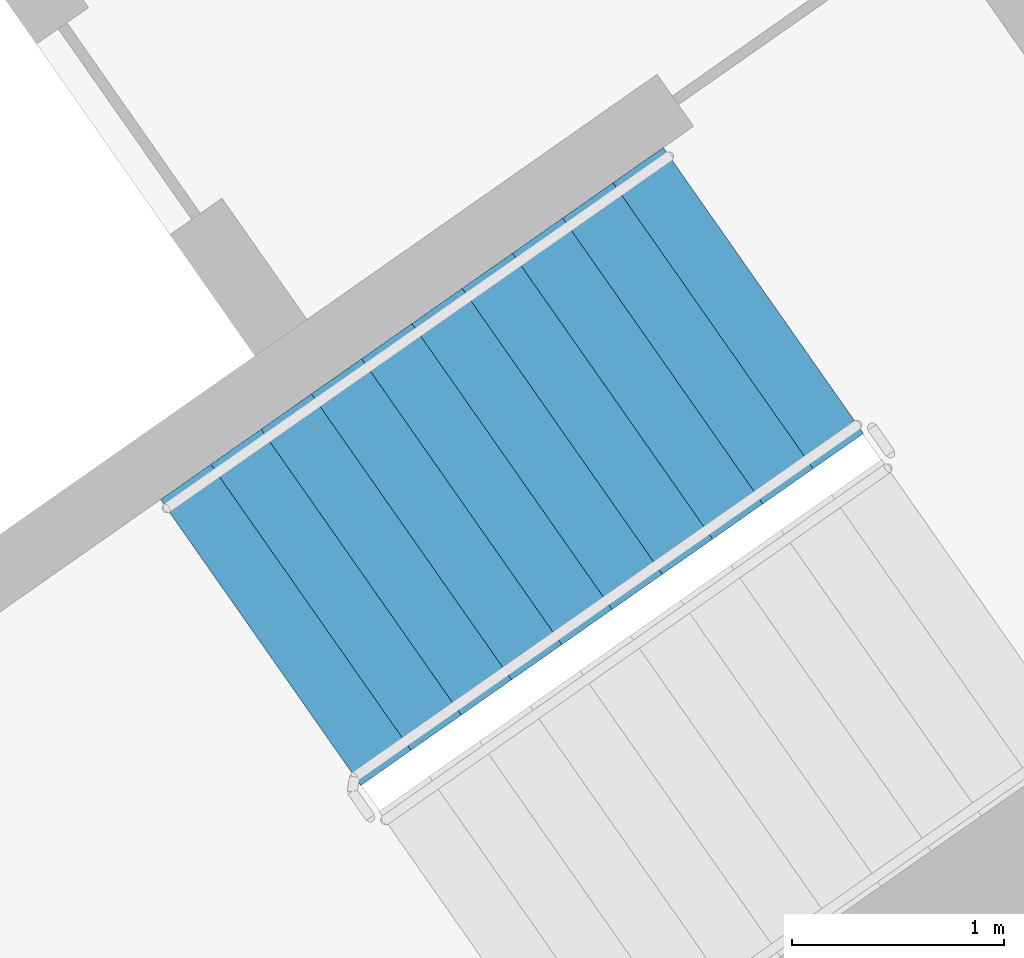
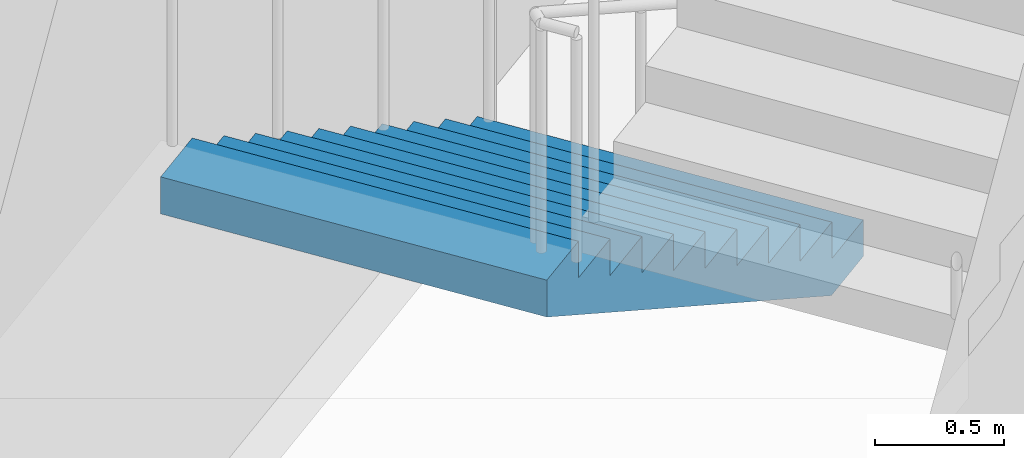
# One storey, part 12 of 27: 1 stair flight, 1 element without a shape of its own.
"""IFC4 building model written with IfcOpenShell, lengths in metres."""

from ifc_helpers import new_model, si_unit, direction, frame, origin, place, context, subcontext, project, spatial, faceted_brep, material, type_object, element, aggregate, save


model = new_model("IFC4")

# Units and contexts
model_context = context("Model", 3, precision=1e-05, world=origin(), true_north=direction((0.0, 1.0)))
body_context = subcontext(model_context, "Body", "Model", "MODEL_VIEW")
ifc_project = project(units=[si_unit("LENGTHUNIT", "METRE"), si_unit("AREAUNIT", "SQUARE_METRE"), si_unit("VOLUMEUNIT", "CUBIC_METRE"), si_unit("PLANEANGLEUNIT", "RADIAN"), si_unit("MASSUNIT", "GRAM", prefix="KILO")], contexts=[model_context])

# Site, building, storey
site_placement = place(None, origin())
site = spatial("IfcSite", under=ifc_project, at=site_placement, CompositionType="ELEMENT")
building_placement = place(site_placement, origin())
building = spatial("IfcBuilding", under=site, at=building_placement, Name="Qamariyya Broadcast Tower", CompositionType="ELEMENT")
storey_placement = place(building_placement, frame((0.0, 0.0, 153.10009765625)))
storey = spatial("IfcBuildingStorey", under=building, at=storey_placement, Name="L35", CompositionType="ELEMENT", Elevation=153.10009765625)

# Stair, stair flight
ifc_material = material(Name="Concrete C50/60", Category="concrete")
stair_type = type_object("IfcStairType", Name="Exit stair 22 risers of 173 mm", PredefinedType="HALF_TURN_STAIR", material=ifc_material)
stair_placement = place(storey_placement, origin())
stair = element("IfcStair", 1, at=stair_placement, inside=storey, type_object=stair_type, Name="L35 Stair E1", PredefinedType="HALF_TURN_STAIR")
stair_flight_type = type_object("IfcStairFlightType", Name="Exit stair flight 11 risers of 173 mm", PredefinedType="STRAIGHT", material=ifc_material)
stair_flight_placement = place(storey_placement, frame((46.036376953125, -55.508056640625, 0.0), z_axis=(0.0, 0.0, 1.0), x_axis=(-0.819152044289, -0.573576436351, 0.0)))
stair_flight = element("IfcStairFlight", 2, at=stair_flight_placement, type_object=stair_flight_type, Name="ST-E1 flight 1", NumberOfRisers=11, NumberOfTreads=10, PredefinedType="STRAIGHT", RiserHeight=0.172727273, TreadLength=0.29, context=body_context, shape_type="Brep", body=[
    faceted_brep([(0.0, 0.824951171875, 0.0), (0.0, 0.824951171875, 0.172607421875), (0.2900390625, 0.824951171875, 0.172607421875), (0.2900390625, 0.824951171875, 0.345458984375), (0.580078125, 0.824951171875, 0.345458984375), (0.580078125, 0.824951171875, 0.51806640625), (0.8701171875, 0.824951171875, 0.51806640625), (0.8701171875, 0.824951171875, 0.69091796875), (1.159912109375, 0.824951171875, 0.69091796875), (1.159912109375, 0.824951171875, 0.863525390625), (1.449951171875, 0.824951171875, 0.863525390625), (1.449951171875, 0.824951171875, 1.036376953125), (1.739990234375, 0.824951171875, 1.036376953125), (1.739990234375, 0.824951171875, 1.208984375), (2.030029296875, 0.824951171875, 1.208984375), (2.030029296875, 0.824951171875, 1.3818359375), (2.320068359375, 0.824951171875, 1.3818359375), (2.320068359375, 0.824951171875, 1.554443359375), (2.610107421875, 0.824951171875, 1.554443359375), (2.610107421875, 0.824951171875, 1.727294921875), (2.89990234375, 0.824951171875, 1.727294921875), (2.89990234375, 0.824951171875, 1.552734375), (0.29296875, 0.824951171875, 0.0), (0.29296875, -0.824951171875, 0.0), (2.89990234375, -0.824951171875, 1.552734375), (2.89990234375, -0.824951171875, 1.727294921875), (2.610107421875, -0.824951171875, 1.727294921875), (2.610107421875, -0.824951171875, 1.554443359375), (2.320068359375, -0.824951171875, 1.554443359375), (2.320068359375, -0.824951171875, 1.3818359375), (2.030029296875, -0.824951171875, 1.3818359375), (2.030029296875, -0.824951171875, 1.208984375), (1.739990234375, -0.824951171875, 1.208984375), (1.739990234375, -0.824951171875, 1.036376953125), (1.449951171875, -0.824951171875, 1.036376953125), (1.449951171875, -0.824951171875, 0.863525390625), (1.159912109375, -0.824951171875, 0.863525390625), (1.159912109375, -0.824951171875, 0.69091796875), (0.8701171875, -0.824951171875, 0.69091796875), (0.8701171875, -0.824951171875, 0.51806640625), (0.580078125, -0.824951171875, 0.51806640625), (0.580078125, -0.824951171875, 0.345458984375), (0.2900390625, -0.824951171875, 0.345458984375), (0.2900390625, -0.824951171875, 0.172607421875), (0.0, -0.824951171875, 0.172607421875), (0.0, -0.824951171875, 0.0), (0.0, 0.10009765625, 0.0), (0.0, 0.086669921875, 0.0), (0.0, 0.0732421875, 0.0), (0.0, 0.06005859375, 0.0), (0.0, 0.046630859375, 0.0), (0.0, 0.033447265625, 0.0), (0.0, 0.02001953125, 0.0), (0.0, 0.006591796875, 0.0), (0.0, -0.006591796875, 0.0), (0.0, -0.02001953125, 0.0), (0.0, -0.033447265625, 0.0), (0.0, -0.046630859375, 0.0), (0.0, -0.06005859375, 0.0), (0.0, -0.0732421875, 0.0), (0.0, -0.086669921875, 0.0), (0.0, -0.10009765625, 0.0), (0.0, -0.10009765625, 0.172607421875), (0.0, -0.086669921875, 0.172607421875), (0.0, -0.0732421875, 0.172607421875), (0.0, -0.06005859375, 0.172607421875), (0.0, -0.046630859375, 0.172607421875), (0.0, -0.033447265625, 0.172607421875), (0.0, -0.02001953125, 0.172607421875), (0.0, -0.006591796875, 0.172607421875), (0.0, 0.006591796875, 0.172607421875), (0.0, 0.02001953125, 0.172607421875), (0.0, 0.033447265625, 0.172607421875), (0.0, 0.046630859375, 0.172607421875), (0.0, 0.06005859375, 0.172607421875), (0.0, 0.0732421875, 0.172607421875), (0.0, 0.086669921875, 0.172607421875), (0.0, 0.10009765625, 0.172607421875), (0.2900390625, -0.10009765625, 0.172607421875), (0.2900390625, -0.086669921875, 0.172607421875), (0.2900390625, -0.0732421875, 0.172607421875), (0.2900390625, -0.06005859375, 0.172607421875), (0.2900390625, -0.046630859375, 0.172607421875), (0.2900390625, -0.033447265625, 0.172607421875), (0.2900390625, -0.02001953125, 0.172607421875), (0.2900390625, -0.006591796875, 0.172607421875), (0.2900390625, 0.006591796875, 0.172607421875), (0.2900390625, 0.02001953125, 0.172607421875), (0.2900390625, 0.033447265625, 0.172607421875), (0.2900390625, 0.046630859375, 0.172607421875), (0.2900390625, 0.06005859375, 0.172607421875), (0.2900390625, 0.0732421875, 0.172607421875), (0.2900390625, 0.086669921875, 0.172607421875), (0.2900390625, 0.10009765625, 0.172607421875), (0.2900390625, -0.10009765625, 0.345458984375), (0.2900390625, -0.086669921875, 0.345458984375), (0.2900390625, -0.0732421875, 0.345458984375), (0.2900390625, -0.06005859375, 0.345458984375), (0.2900390625, -0.046630859375, 0.345458984375), (0.2900390625, -0.033447265625, 0.345458984375), (0.2900390625, -0.02001953125, 0.345458984375), (0.2900390625, -0.006591796875, 0.345458984375), (0.2900390625, 0.006591796875, 0.345458984375), (0.2900390625, 0.02001953125, 0.345458984375), (0.2900390625, 0.033447265625, 0.345458984375), (0.2900390625, 0.046630859375, 0.345458984375), (0.2900390625, 0.06005859375, 0.345458984375), (0.2900390625, 0.0732421875, 0.345458984375), (0.2900390625, 0.086669921875, 0.345458984375), (0.2900390625, 0.10009765625, 0.345458984375), (0.580078125, -0.10009765625, 0.345458984375), (0.580078125, -0.086669921875, 0.345458984375), (0.580078125, -0.0732421875, 0.345458984375), (0.580078125, -0.06005859375, 0.345458984375), (0.580078125, -0.046630859375, 0.345458984375), (0.580078125, -0.033447265625, 0.345458984375), (0.580078125, -0.02001953125, 0.345458984375), (0.580078125, -0.006591796875, 0.345458984375), (0.580078125, 0.006591796875, 0.345458984375), (0.580078125, 0.02001953125, 0.345458984375), (0.580078125, 0.033447265625, 0.345458984375), (0.580078125, 0.046630859375, 0.345458984375), (0.580078125, 0.06005859375, 0.345458984375), (0.580078125, 0.0732421875, 0.345458984375), (0.580078125, 0.086669921875, 0.345458984375), (0.580078125, 0.10009765625, 0.345458984375), (0.580078125, -0.10009765625, 0.51806640625), (0.580078125, -0.086669921875, 0.51806640625), (0.580078125, -0.0732421875, 0.51806640625), (0.580078125, -0.06005859375, 0.51806640625), (0.580078125, -0.046630859375, 0.51806640625), (0.580078125, -0.033447265625, 0.51806640625), (0.580078125, -0.02001953125, 0.51806640625), (0.580078125, -0.006591796875, 0.51806640625), (0.580078125, 0.006591796875, 0.51806640625), (0.580078125, 0.02001953125, 0.51806640625), (0.580078125, 0.033447265625, 0.51806640625), (0.580078125, 0.046630859375, 0.51806640625), (0.580078125, 0.06005859375, 0.51806640625), (0.580078125, 0.0732421875, 0.51806640625), (0.580078125, 0.086669921875, 0.51806640625), (0.580078125, 0.10009765625, 0.51806640625), (0.8701171875, -0.10009765625, 0.51806640625), (0.8701171875, -0.086669921875, 0.51806640625), (0.8701171875, -0.0732421875, 0.51806640625), (0.8701171875, -0.06005859375, 0.51806640625), (0.8701171875, -0.046630859375, 0.51806640625), (0.8701171875, -0.033447265625, 0.51806640625), (0.8701171875, -0.02001953125, 0.51806640625), (0.8701171875, -0.006591796875, 0.51806640625), (0.8701171875, 0.006591796875, 0.51806640625), (0.8701171875, 0.02001953125, 0.51806640625), (0.8701171875, 0.033447265625, 0.51806640625), (0.8701171875, 0.046630859375, 0.51806640625), (0.8701171875, 0.06005859375, 0.51806640625), (0.8701171875, 0.0732421875, 0.51806640625), (0.8701171875, 0.086669921875, 0.51806640625), (0.8701171875, 0.10009765625, 0.51806640625), (0.8701171875, -0.10009765625, 0.69091796875), (0.8701171875, -0.086669921875, 0.69091796875), (0.8701171875, -0.0732421875, 0.69091796875), (0.8701171875, -0.06005859375, 0.69091796875), (0.8701171875, -0.046630859375, 0.69091796875), (0.8701171875, -0.033447265625, 0.69091796875), (0.8701171875, -0.02001953125, 0.69091796875), (0.8701171875, -0.006591796875, 0.69091796875), (0.8701171875, 0.006591796875, 0.69091796875), (0.8701171875, 0.02001953125, 0.69091796875), (0.8701171875, 0.033447265625, 0.69091796875), (0.8701171875, 0.046630859375, 0.69091796875), (0.8701171875, 0.06005859375, 0.69091796875), (0.8701171875, 0.0732421875, 0.69091796875), (0.8701171875, 0.086669921875, 0.69091796875), (0.8701171875, 0.10009765625, 0.69091796875), (1.159912109375, -0.10009765625, 0.69091796875), (1.159912109375, -0.086669921875, 0.69091796875), (1.159912109375, -0.0732421875, 0.69091796875), (1.159912109375, -0.06005859375, 0.69091796875), (1.159912109375, -0.046630859375, 0.69091796875), (1.159912109375, -0.033447265625, 0.69091796875), (1.159912109375, -0.02001953125, 0.69091796875), (1.159912109375, -0.006591796875, 0.69091796875), (1.159912109375, 0.006591796875, 0.69091796875), (1.159912109375, 0.02001953125, 0.69091796875), (1.159912109375, 0.033447265625, 0.69091796875), (1.159912109375, 0.046630859375, 0.69091796875), (1.159912109375, 0.06005859375, 0.69091796875), (1.159912109375, 0.0732421875, 0.69091796875), (1.159912109375, 0.086669921875, 0.69091796875), (1.159912109375, 0.10009765625, 0.69091796875), (1.159912109375, -0.10009765625, 0.863525390625), (1.159912109375, -0.086669921875, 0.863525390625), (1.159912109375, -0.0732421875, 0.863525390625), (1.159912109375, -0.06005859375, 0.863525390625), (1.159912109375, -0.046630859375, 0.863525390625), (1.159912109375, -0.033447265625, 0.863525390625), (1.159912109375, -0.02001953125, 0.863525390625), (1.159912109375, -0.006591796875, 0.863525390625), (1.159912109375, 0.006591796875, 0.863525390625), (1.159912109375, 0.02001953125, 0.863525390625), (1.159912109375, 0.033447265625, 0.863525390625), (1.159912109375, 0.046630859375, 0.863525390625), (1.159912109375, 0.06005859375, 0.863525390625), (1.159912109375, 0.0732421875, 0.863525390625), (1.159912109375, 0.086669921875, 0.863525390625), (1.159912109375, 0.10009765625, 0.863525390625), (1.449951171875, -0.10009765625, 0.863525390625), (1.449951171875, -0.086669921875, 0.863525390625), (1.449951171875, -0.0732421875, 0.863525390625), (1.449951171875, -0.06005859375, 0.863525390625), (1.449951171875, -0.046630859375, 0.863525390625), (1.449951171875, -0.033447265625, 0.863525390625), (1.449951171875, -0.02001953125, 0.863525390625), (1.449951171875, -0.006591796875, 0.863525390625), (1.449951171875, 0.006591796875, 0.863525390625), (1.449951171875, 0.02001953125, 0.863525390625), (1.449951171875, 0.033447265625, 0.863525390625), (1.449951171875, 0.046630859375, 0.863525390625), (1.449951171875, 0.06005859375, 0.863525390625), (1.449951171875, 0.0732421875, 0.863525390625), (1.449951171875, 0.086669921875, 0.863525390625), (1.449951171875, 0.10009765625, 0.863525390625), (1.449951171875, -0.10009765625, 1.036376953125), (1.449951171875, -0.086669921875, 1.036376953125), (1.449951171875, -0.0732421875, 1.036376953125), (1.449951171875, -0.06005859375, 1.036376953125), (1.449951171875, -0.046630859375, 1.036376953125), (1.449951171875, -0.033447265625, 1.036376953125), (1.449951171875, -0.02001953125, 1.036376953125), (1.449951171875, -0.006591796875, 1.036376953125), (1.449951171875, 0.006591796875, 1.036376953125), (1.449951171875, 0.02001953125, 1.036376953125), (1.449951171875, 0.033447265625, 1.036376953125), (1.449951171875, 0.046630859375, 1.036376953125), (1.449951171875, 0.06005859375, 1.036376953125), (1.449951171875, 0.0732421875, 1.036376953125), (1.449951171875, 0.086669921875, 1.036376953125), (1.449951171875, 0.10009765625, 1.036376953125), (1.739990234375, -0.10009765625, 1.036376953125), (1.739990234375, -0.086669921875, 1.036376953125), (1.739990234375, -0.0732421875, 1.036376953125), (1.739990234375, -0.06005859375, 1.036376953125), (1.739990234375, -0.046630859375, 1.036376953125), (1.739990234375, -0.033447265625, 1.036376953125), (1.739990234375, -0.02001953125, 1.036376953125), (1.739990234375, -0.006591796875, 1.036376953125), (1.739990234375, 0.006591796875, 1.036376953125), (1.739990234375, 0.02001953125, 1.036376953125), (1.739990234375, 0.033447265625, 1.036376953125), (1.739990234375, 0.046630859375, 1.036376953125), (1.739990234375, 0.06005859375, 1.036376953125), (1.739990234375, 0.0732421875, 1.036376953125), (1.739990234375, 0.086669921875, 1.036376953125), (1.739990234375, 0.10009765625, 1.036376953125), (1.739990234375, -0.10009765625, 1.208984375), (1.739990234375, -0.086669921875, 1.208984375), (1.739990234375, -0.0732421875, 1.208984375), (1.739990234375, -0.06005859375, 1.208984375), (1.739990234375, -0.046630859375, 1.208984375), (1.739990234375, -0.033447265625, 1.208984375), (1.739990234375, -0.02001953125, 1.208984375), (1.739990234375, -0.006591796875, 1.208984375), (1.739990234375, 0.006591796875, 1.208984375), (1.739990234375, 0.02001953125, 1.208984375), (1.739990234375, 0.033447265625, 1.208984375), (1.739990234375, 0.046630859375, 1.208984375), (1.739990234375, 0.06005859375, 1.208984375), (1.739990234375, 0.0732421875, 1.208984375), (1.739990234375, 0.086669921875, 1.208984375), (1.739990234375, 0.10009765625, 1.208984375), (2.030029296875, -0.10009765625, 1.208984375), (2.030029296875, -0.086669921875, 1.208984375), (2.030029296875, -0.0732421875, 1.208984375), (2.030029296875, -0.06005859375, 1.208984375), (2.030029296875, -0.046630859375, 1.208984375), (2.030029296875, -0.033447265625, 1.208984375), (2.030029296875, -0.02001953125, 1.208984375), (2.030029296875, -0.006591796875, 1.208984375), (2.030029296875, 0.006591796875, 1.208984375), (2.030029296875, 0.02001953125, 1.208984375), (2.030029296875, 0.033447265625, 1.208984375), (2.030029296875, 0.046630859375, 1.208984375), (2.030029296875, 0.06005859375, 1.208984375), (2.030029296875, 0.0732421875, 1.208984375), (2.030029296875, 0.086669921875, 1.208984375), (2.030029296875, 0.10009765625, 1.208984375), (2.030029296875, -0.10009765625, 1.3818359375), (2.030029296875, -0.086669921875, 1.3818359375), (2.030029296875, -0.0732421875, 1.3818359375), (2.030029296875, -0.06005859375, 1.3818359375), (2.030029296875, -0.046630859375, 1.3818359375), (2.030029296875, -0.033447265625, 1.3818359375), (2.030029296875, -0.02001953125, 1.3818359375), (2.030029296875, -0.006591796875, 1.3818359375), (2.030029296875, 0.006591796875, 1.3818359375), (2.030029296875, 0.02001953125, 1.3818359375), (2.030029296875, 0.033447265625, 1.3818359375), (2.030029296875, 0.046630859375, 1.3818359375), (2.030029296875, 0.06005859375, 1.3818359375), (2.030029296875, 0.0732421875, 1.3818359375), (2.030029296875, 0.086669921875, 1.3818359375), (2.030029296875, 0.10009765625, 1.3818359375), (2.320068359375, -0.10009765625, 1.3818359375), (2.320068359375, -0.086669921875, 1.3818359375), (2.320068359375, -0.0732421875, 1.3818359375), (2.320068359375, -0.06005859375, 1.3818359375), (2.320068359375, -0.046630859375, 1.3818359375), (2.320068359375, -0.033447265625, 1.3818359375), (2.320068359375, -0.02001953125, 1.3818359375), (2.320068359375, -0.006591796875, 1.3818359375), (2.320068359375, 0.006591796875, 1.3818359375), (2.320068359375, 0.02001953125, 1.3818359375), (2.320068359375, 0.033447265625, 1.3818359375), (2.320068359375, 0.046630859375, 1.3818359375), (2.320068359375, 0.06005859375, 1.3818359375), (2.320068359375, 0.0732421875, 1.3818359375), (2.320068359375, 0.086669921875, 1.3818359375), (2.320068359375, 0.10009765625, 1.3818359375), (2.320068359375, -0.10009765625, 1.554443359375), (2.320068359375, -0.086669921875, 1.554443359375), (2.320068359375, -0.0732421875, 1.554443359375), (2.320068359375, -0.06005859375, 1.554443359375), (2.320068359375, -0.046630859375, 1.554443359375), (2.320068359375, -0.033447265625, 1.554443359375), (2.320068359375, -0.02001953125, 1.554443359375), (2.320068359375, -0.006591796875, 1.554443359375), (2.320068359375, 0.006591796875, 1.554443359375), (2.320068359375, 0.02001953125, 1.554443359375), (2.320068359375, 0.033447265625, 1.554443359375), (2.320068359375, 0.046630859375, 1.554443359375), (2.320068359375, 0.06005859375, 1.554443359375), (2.320068359375, 0.0732421875, 1.554443359375), (2.320068359375, 0.086669921875, 1.554443359375), (2.320068359375, 0.10009765625, 1.554443359375), (2.610107421875, -0.10009765625, 1.554443359375), (2.610107421875, -0.086669921875, 1.554443359375), (2.610107421875, -0.0732421875, 1.554443359375), (2.610107421875, -0.06005859375, 1.554443359375), (2.610107421875, -0.046630859375, 1.554443359375), (2.610107421875, -0.033447265625, 1.554443359375), (2.610107421875, -0.02001953125, 1.554443359375), (2.610107421875, -0.006591796875, 1.554443359375), (2.610107421875, 0.006591796875, 1.554443359375), (2.610107421875, 0.02001953125, 1.554443359375), (2.610107421875, 0.033447265625, 1.554443359375), (2.610107421875, 0.046630859375, 1.554443359375), (2.610107421875, 0.06005859375, 1.554443359375), (2.610107421875, 0.0732421875, 1.554443359375), (2.610107421875, 0.086669921875, 1.554443359375), (2.610107421875, 0.10009765625, 1.554443359375), (2.610107421875, -0.10009765625, 1.727294921875), (2.610107421875, -0.086669921875, 1.727294921875), (2.610107421875, -0.0732421875, 1.727294921875), (2.610107421875, -0.06005859375, 1.727294921875), (2.610107421875, -0.046630859375, 1.727294921875), (2.610107421875, -0.033447265625, 1.727294921875), (2.610107421875, -0.02001953125, 1.727294921875), (2.610107421875, -0.006591796875, 1.727294921875), (2.610107421875, 0.006591796875, 1.727294921875), (2.610107421875, 0.02001953125, 1.727294921875), (2.610107421875, 0.033447265625, 1.727294921875), (2.610107421875, 0.046630859375, 1.727294921875), (2.610107421875, 0.06005859375, 1.727294921875), (2.610107421875, 0.0732421875, 1.727294921875), (2.610107421875, 0.086669921875, 1.727294921875), (2.610107421875, 0.10009765625, 1.727294921875), (2.89990234375, -0.10009765625, 1.727294921875), (2.89990234375, -0.086669921875, 1.727294921875), (2.89990234375, -0.0732421875, 1.727294921875), (2.89990234375, -0.06005859375, 1.727294921875), (2.89990234375, -0.046630859375, 1.727294921875), (2.89990234375, -0.033447265625, 1.727294921875), (2.89990234375, -0.02001953125, 1.727294921875), (2.89990234375, -0.006591796875, 1.727294921875), (2.89990234375, 0.006591796875, 1.727294921875), (2.89990234375, 0.02001953125, 1.727294921875), (2.89990234375, 0.033447265625, 1.727294921875), (2.89990234375, 0.046630859375, 1.727294921875), (2.89990234375, 0.06005859375, 1.727294921875), (2.89990234375, 0.0732421875, 1.727294921875), (2.89990234375, 0.086669921875, 1.727294921875), (2.89990234375, 0.10009765625, 1.727294921875), (2.89990234375, -0.10009765625, 1.552734375), (2.89990234375, -0.086669921875, 1.552734375), (2.89990234375, -0.0732421875, 1.552734375), (2.89990234375, -0.06005859375, 1.552734375), (2.89990234375, -0.046630859375, 1.552734375), (2.89990234375, -0.033447265625, 1.552734375), (2.89990234375, -0.02001953125, 1.552734375), (2.89990234375, -0.006591796875, 1.552734375), (2.89990234375, 0.006591796875, 1.552734375), (2.89990234375, 0.02001953125, 1.552734375), (2.89990234375, 0.033447265625, 1.552734375), (2.89990234375, 0.046630859375, 1.552734375), (2.89990234375, 0.06005859375, 1.552734375), (2.89990234375, 0.0732421875, 1.552734375), (2.89990234375, 0.086669921875, 1.552734375), (2.89990234375, 0.10009765625, 1.552734375), (0.29296875, -0.10009765625, 0.0), (0.29296875, -0.086669921875, 0.0), (0.29296875, -0.0732421875, 0.0), (0.29296875, -0.06005859375, 0.0), (0.29296875, -0.046630859375, 0.0), (0.29296875, -0.033447265625, 0.0), (0.29296875, -0.02001953125, 0.0), (0.29296875, -0.006591796875, 0.0), (0.29296875, 0.006591796875, 0.0), (0.29296875, 0.02001953125, 0.0), (0.29296875, 0.033447265625, 0.0), (0.29296875, 0.046630859375, 0.0), (0.29296875, 0.06005859375, 0.0), (0.29296875, 0.0732421875, 0.0), (0.29296875, 0.086669921875, 0.0), (0.29296875, 0.10009765625, 0.0)], [[[0, 1, 2, 3, 4, 5, 6, 7, 8, 9, 10, 11, 12, 13, 14, 15, 16, 17, 18, 19, 20, 21, 22]], [[23, 24, 25, 26, 27, 28, 29, 30, 31, 32, 33, 34, 35, 36, 37, 38, 39, 40, 41, 42, 43, 44, 45]], [[0, 46, 47, 48, 49, 50, 51, 52, 53, 54, 55, 56, 57, 58, 59, 60, 61, 45, 44, 62, 63, 64, 65, 66, 67, 68, 69, 70, 71, 72, 73, 74, 75, 76, 77, 1]], [[1, 77, 76, 75, 74, 73, 72, 71, 70, 69, 68, 67, 66, 65, 64, 63, 62, 44, 43, 78, 79, 80, 81, 82, 83, 84, 85, 86, 87, 88, 89, 90, 91, 92, 93, 2]], [[2, 93, 92, 91, 90, 89, 88, 87, 86, 85, 84, 83, 82, 81, 80, 79, 78, 43, 42, 94, 95, 96, 97, 98, 99, 100, 101, 102, 103, 104, 105, 106, 107, 108, 109, 3]], [[3, 109, 108, 107, 106, 105, 104, 103, 102, 101, 100, 99, 98, 97, 96, 95, 94, 42, 41, 110, 111, 112, 113, 114, 115, 116, 117, 118, 119, 120, 121, 122, 123, 124, 125, 4]], [[4, 125, 124, 123, 122, 121, 120, 119, 118, 117, 116, 115, 114, 113, 112, 111, 110, 41, 40, 126, 127, 128, 129, 130, 131, 132, 133, 134, 135, 136, 137, 138, 139, 140, 141, 5]], [[5, 141, 140, 139, 138, 137, 136, 135, 134, 133, 132, 131, 130, 129, 128, 127, 126, 40, 39, 142, 143, 144, 145, 146, 147, 148, 149, 150, 151, 152, 153, 154, 155, 156, 157, 6]], [[6, 157, 156, 155, 154, 153, 152, 151, 150, 149, 148, 147, 146, 145, 144, 143, 142, 39, 38, 158, 159, 160, 161, 162, 163, 164, 165, 166, 167, 168, 169, 170, 171, 172, 173, 7]], [[7, 173, 172, 171, 170, 169, 168, 167, 166, 165, 164, 163, 162, 161, 160, 159, 158, 38, 37, 174, 175, 176, 177, 178, 179, 180, 181, 182, 183, 184, 185, 186, 187, 188, 189, 8]], [[8, 189, 188, 187, 186, 185, 184, 183, 182, 181, 180, 179, 178, 177, 176, 175, 174, 37, 36, 190, 191, 192, 193, 194, 195, 196, 197, 198, 199, 200, 201, 202, 203, 204, 205, 9]], [[9, 205, 204, 203, 202, 201, 200, 199, 198, 197, 196, 195, 194, 193, 192, 191, 190, 36, 35, 206, 207, 208, 209, 210, 211, 212, 213, 214, 215, 216, 217, 218, 219, 220, 221, 10]], [[10, 221, 220, 219, 218, 217, 216, 215, 214, 213, 212, 211, 210, 209, 208, 207, 206, 35, 34, 222, 223, 224, 225, 226, 227, 228, 229, 230, 231, 232, 233, 234, 235, 236, 237, 11]], [[11, 237, 236, 235, 234, 233, 232, 231, 230, 229, 228, 227, 226, 225, 224, 223, 222, 34, 33, 238, 239, 240, 241, 242, 243, 244, 245, 246, 247, 248, 249, 250, 251, 252, 253, 12]], [[12, 253, 252, 251, 250, 249, 248, 247, 246, 245, 244, 243, 242, 241, 240, 239, 238, 33, 32, 254, 255, 256, 257, 258, 259, 260, 261, 262, 263, 264, 265, 266, 267, 268, 269, 13]], [[13, 269, 268, 267, 266, 265, 264, 263, 262, 261, 260, 259, 258, 257, 256, 255, 254, 32, 31, 270, 271, 272, 273, 274, 275, 276, 277, 278, 279, 280, 281, 282, 283, 284, 285, 14]], [[14, 285, 284, 283, 282, 281, 280, 279, 278, 277, 276, 275, 274, 273, 272, 271, 270, 31, 30, 286, 287, 288, 289, 290, 291, 292, 293, 294, 295, 296, 297, 298, 299, 300, 301, 15]], [[15, 301, 300, 299, 298, 297, 296, 295, 294, 293, 292, 291, 290, 289, 288, 287, 286, 30, 29, 302, 303, 304, 305, 306, 307, 308, 309, 310, 311, 312, 313, 314, 315, 316, 317, 16]], [[16, 317, 316, 315, 314, 313, 312, 311, 310, 309, 308, 307, 306, 305, 304, 303, 302, 29, 28, 318, 319, 320, 321, 322, 323, 324, 325, 326, 327, 328, 329, 330, 331, 332, 333, 17]], [[17, 333, 332, 331, 330, 329, 328, 327, 326, 325, 324, 323, 322, 321, 320, 319, 318, 28, 27, 334, 335, 336, 337, 338, 339, 340, 341, 342, 343, 344, 345, 346, 347, 348, 349, 18]], [[18, 349, 348, 347, 346, 345, 344, 343, 342, 341, 340, 339, 338, 337, 336, 335, 334, 27, 26, 350, 351, 352, 353, 354, 355, 356, 357, 358, 359, 360, 361, 362, 363, 364, 365, 19]], [[19, 365, 364, 363, 362, 361, 360, 359, 358, 357, 356, 355, 354, 353, 352, 351, 350, 26, 25, 366, 367, 368, 369, 370, 371, 372, 373, 374, 375, 376, 377, 378, 379, 380, 381, 20]], [[20, 381, 380, 379, 378, 377, 376, 375, 374, 373, 372, 371, 370, 369, 368, 367, 366, 25, 24, 382, 383, 384, 385, 386, 387, 388, 389, 390, 391, 392, 393, 394, 395, 396, 397, 21]], [[21, 397, 396, 395, 394, 393, 392, 391, 390, 389, 388, 387, 386, 385, 384, 383, 382, 24, 23, 398, 399, 400, 401, 402, 403, 404, 405, 406, 407, 408, 409, 410, 411, 412, 413, 22]], [[22, 413, 412, 411, 410, 409, 408, 407, 406, 405, 404, 403, 402, 401, 400, 399, 398, 23, 45, 61, 60, 59, 58, 57, 56, 55, 54, 53, 52, 51, 50, 49, 48, 47, 46, 0]]]),
])
aggregate(stair, [stair_flight])

save(model, "model.ifc")
